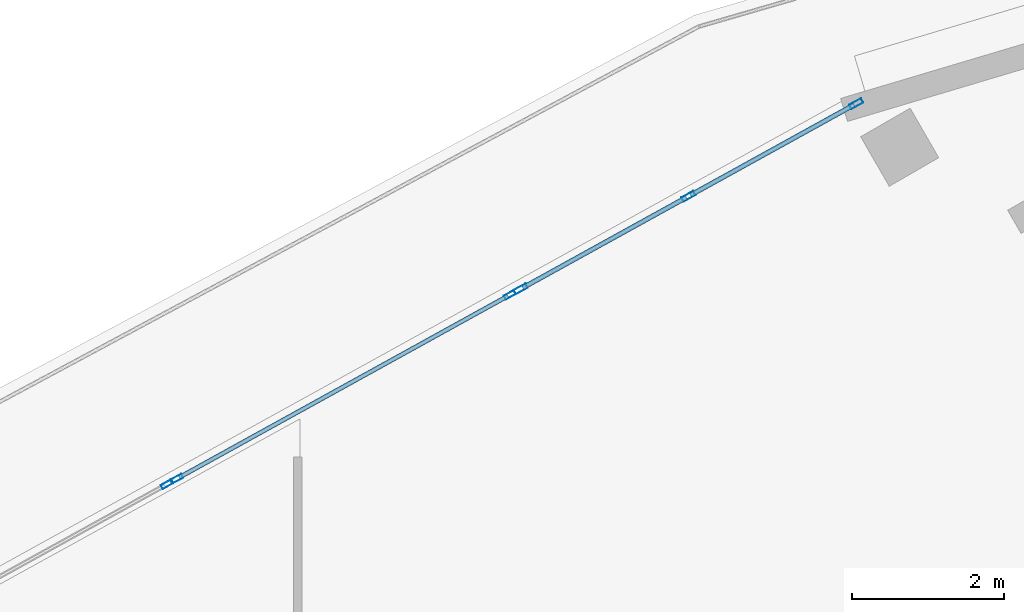
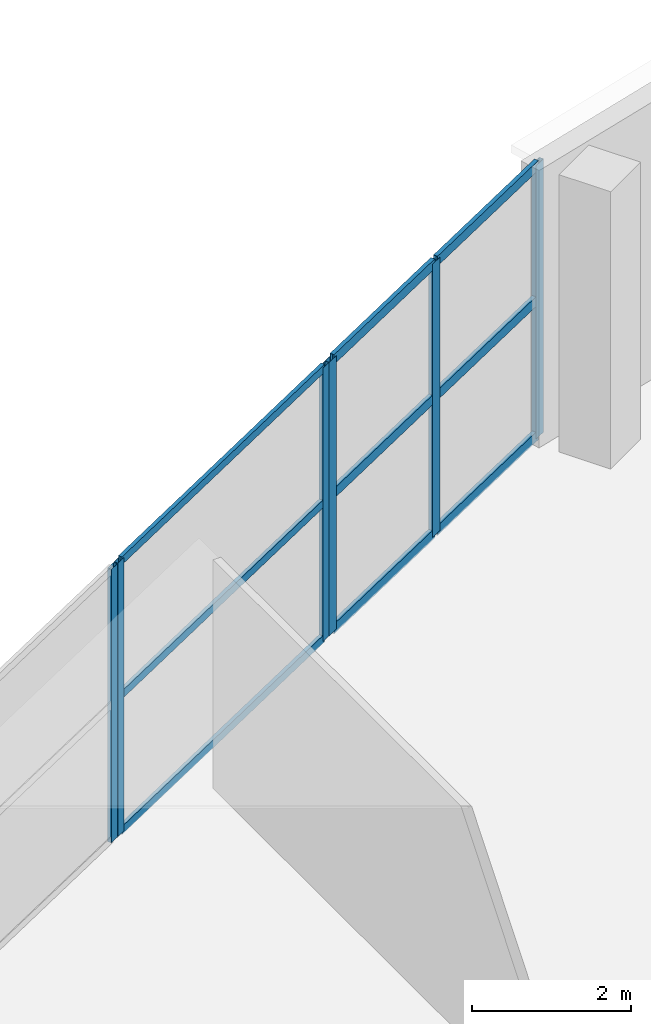
# One storey, part 32 of 107: 15 members, 3 elements without a shape of their own.
"""IFC4 building model written with IfcOpenShell, lengths in metres."""

from ifc_helpers import new_model, si_unit, direction, frame, origin, origin_2d, place, context, subcontext, project, spatial, hollow_rectangle, extrude, material, layer, layer_set, material_profile, profile_set, type_object, element, aggregate, save


model = new_model("IFC4")

# Units and contexts
model_context = context("Model", 3, precision=1e-05, world=origin(), true_north=direction((0.0, 1.0)))
body_context = subcontext(model_context, "Body", "Model", "MODEL_VIEW")
ifc_project = project(units=[si_unit("LENGTHUNIT", "METRE"), si_unit("AREAUNIT", "SQUARE_METRE"), si_unit("VOLUMEUNIT", "CUBIC_METRE"), si_unit("PLANEANGLEUNIT", "RADIAN"), si_unit("MASSUNIT", "GRAM", prefix="KILO")], contexts=[model_context])

# Site, building, storey
site_placement = place(None, origin())
site = spatial("IfcSite", under=ifc_project, at=site_placement, CompositionType="ELEMENT")
building_placement = place(site_placement, origin())
building = spatial("IfcBuilding", under=site, at=building_placement, Name="Kalgoora Escarpment Arena", CompositionType="ELEMENT")
storey_placement = place(building_placement, frame((0.0, 0.0, 5.39990234375)))
storey = spatial("IfcBuildingStorey", under=building, at=storey_placement, Name="L01", CompositionType="ELEMENT", Elevation=5.39990234375)

# Curtain wall, member
ifc_material_1 = material(Name=" Champagne anodised aluminium & double-glazed low-E", Category="aluminium")
ifc_layer_1 = layer(ifc_material_1, 0.166015625)
ifc_layer_set_1 = layer_set([ifc_layer_1], Name="CW-UNIT-19")
curtain_wall_type_1 = type_object("IfcCurtainWallType", Name="CW-UNIT-19", PredefinedType="NOTDEFINED", material=ifc_layer_set_1)
curtain_wall_1_placement = place(storey_placement, origin())
curtain_wall_1 = element("IfcCurtainWall", 1, at=curtain_wall_1_placement, inside=storey, type_object=curtain_wall_type_1, Name="L01 unitised facade curtain wall 018", PredefinedType="NOTDEFINED")
ifc_material_2 = material(Name="Anodised aluminium 6063-T6", Category="aluminium")
ifc_material_profile_1 = material_profile(ifc_material_2, hollow_rectangle(XDim=0.06005859375, YDim=0.14990234375, WallThickness=0.00341796875, at=origin_2d()))
ifc_profile_set_1 = profile_set([ifc_material_profile_1], Name="Anodised aluminium 6063-T6")
member_type_1 = type_object("IfcMemberType", Name="MEM-CW-MULL-150", PredefinedType="MULLION", material=ifc_profile_set_1)
member_1_placement = place(storey_placement, frame((39.87890625, 113.09521484375, 0.02001953125), z_axis=(0.0, 0.0, 1.0), x_axis=(-0.483332479669, 0.875436870424, 0.0)))
member_1 = element("IfcMember", 2, at=member_1_placement, type_object=member_type_1, Name="CW-19 mullion 2", PredefinedType="MULLION", context=body_context, shape_type="SweptSolid", body=[
    extrude(hollow_rectangle(XDim=0.06005859375, YDim=0.14990234375, WallThickness=0.00341796875, at=origin_2d()), origin(), (0.0, 0.0, 1.0), 4.190185546875),
])
aggregate(curtain_wall_1, [member_1])

# Curtain wall, members
ifc_material_3 = material(Name=" Champagne anodised aluminium & double-glazed low-E", Category="aluminium")
ifc_layer_2 = layer(ifc_material_3, 0.14990234375)
ifc_layer_set_2 = layer_set([ifc_layer_2], Name="CW-UNIT-20")
curtain_wall_type_2 = type_object("IfcCurtainWallType", Name="CW-UNIT-20", PredefinedType="NOTDEFINED", material=ifc_layer_set_2)
curtain_wall_2_placement = place(storey_placement, origin())
curtain_wall_2 = element("IfcCurtainWall", 3, at=curtain_wall_2_placement, inside=storey, type_object=curtain_wall_type_2, Name="L01 unitised facade curtain wall 019", PredefinedType="NOTDEFINED")
member_2_placement = place(storey_placement, frame((40.018798828125, 113.172607421875, 0.02001953125), z_axis=(0.0, 0.0, 1.0), x_axis=(-0.483332479669, 0.875436870424, 0.0)))
member_2 = element("IfcMember", 4, at=member_2_placement, type_object=member_type_1, Name="CW-20 mullion 1", PredefinedType="MULLION", context=body_context, shape_type="SweptSolid", body=[
    extrude(hollow_rectangle(XDim=0.06005859375, YDim=0.14990234375, WallThickness=0.00341796875, at=origin_2d()), origin(), (0.0, 0.0, 1.0), 4.190185546875),
])
member_3_placement = place(storey_placement, frame((44.383544921875, 115.58251953125, 0.02001953125), z_axis=(0.0, 0.0, 1.0), x_axis=(-0.483332479669, 0.875436870424, 0.0)))
member_3 = element("IfcMember", 5, at=member_3_placement, type_object=member_type_1, Name="CW-20 mullion 2", PredefinedType="MULLION", context=body_context, shape_type="SweptSolid", body=[
    extrude(hollow_rectangle(XDim=0.06005859375, YDim=0.14990234375, WallThickness=0.00341796875, at=origin_2d()), origin(), (0.0, 0.0, 1.0), 4.190185546875),
])

ifc_material_4 = material(Name=" Champagne anodised aluminium & double-glazed low-E", Category="aluminium")
ifc_layer_3 = layer(ifc_material_4, 0.154052734375)
ifc_layer_set_3 = layer_set([ifc_layer_3], Name="CW-UNIT-01")
curtain_wall_type_3 = type_object("IfcCurtainWallType", Name="CW-UNIT-01", PredefinedType="NOTDEFINED", material=ifc_layer_set_3)
curtain_wall_3_placement = place(storey_placement, origin())
curtain_wall_3 = element("IfcCurtainWall", 6, at=curtain_wall_3_placement, inside=storey, type_object=curtain_wall_type_3, Name="L01 unitised facade curtain wall 020", PredefinedType="NOTDEFINED")
ifc_material_5 = material(Name="Anodised aluminium 6063-T6", Category="aluminium")
ifc_material_profile_2 = material_profile(ifc_material_5, hollow_rectangle(XDim=0.06494140625, YDim=0.179931640625, WallThickness=0.00390625, at=origin_2d()))
ifc_profile_set_2 = profile_set([ifc_material_profile_2], Name="Anodised aluminium 6063-T6")
member_type_2 = type_object("IfcMemberType", Name="MEM-CW-MULL-180", PredefinedType="MULLION", material=ifc_profile_set_2)
member_4_placement = place(storey_placement, frame((44.525634765625, 115.660888671875, 0.02001953125), z_axis=(0.0, 0.0, 1.0), x_axis=(-0.483343465293, 0.875430805123, 0.0)))
member_4 = element("IfcMember", 7, at=member_4_placement, type_object=member_type_2, Name="CW-01 mullion 1", PredefinedType="MULLION", context=body_context, shape_type="SweptSolid", body=[
    extrude(hollow_rectangle(XDim=0.06494140625, YDim=0.179931640625, WallThickness=0.00390625, at=origin_2d()), origin(), (0.0, 0.0, 1.0), 4.190185546875),
])
member_5_placement = place(storey_placement, frame((46.7275390625, 116.876708984375, 0.02001953125), z_axis=(0.0, 0.0, 1.0), x_axis=(-0.483343465293, 0.875430805123, 0.0)))
member_5 = element("IfcMember", 8, at=member_5_placement, type_object=member_type_2, Name="CW-01 mullion 2", PredefinedType="MULLION", context=body_context, shape_type="SweptSolid", body=[
    extrude(hollow_rectangle(XDim=0.06494140625, YDim=0.179931640625, WallThickness=0.00390625, at=origin_2d()), origin(), (0.0, 0.0, 1.0), 4.190185546875),
])
member_6_placement = place(storey_placement, frame((48.929443359375, 118.09228515625, 0.02001953125), z_axis=(0.0, 0.0, 1.0), x_axis=(-0.483343465293, 0.875430805123, 0.0)))
member_6 = element("IfcMember", 9, at=member_6_placement, type_object=member_type_2, Name="CW-01 mullion 3", PredefinedType="MULLION", context=body_context, shape_type="SweptSolid", body=[
    extrude(hollow_rectangle(XDim=0.06494140625, YDim=0.179931640625, WallThickness=0.00390625, at=origin_2d()), origin(), (0.0, 0.0, 1.0), 4.190185546875),
])

# Member
ifc_material_6 = material(Name="Anodised aluminium 6063-T6", Category="aluminium")
ifc_material_profile_3 = material_profile(ifc_material_6, hollow_rectangle(XDim=0.054931640625, YDim=0.1201171875, WallThickness=0.003173828125, at=origin_2d()))
ifc_profile_set_3 = profile_set([ifc_material_profile_3], Name="Anodised aluminium 6063-T6")
member_type_3 = type_object("IfcMemberType", Name="MEM-CW-TRAN-120", PredefinedType="USERDEFINED", material=ifc_profile_set_3)
member_7_placement = place(storey_placement, frame((40.045166015625, 113.187255859375, 0.047607421875), z_axis=(0.875442460326, 0.483322354809, 0.0), x_axis=(-0.483322354809, 0.875442460326, 0.0)))
member_7 = element("IfcMember", 10, at=member_7_placement, type_object=member_type_3, Name="CW-20 transom 1.1", ObjectType="TRANSOM", PredefinedType="USERDEFINED", context=body_context, shape_type="SweptSolid", body=[
    extrude(hollow_rectangle(XDim=0.054931640625, YDim=0.1201171875, WallThickness=0.003173828125, at=origin_2d()), origin(), (0.0, 0.0, 1.0), 4.925537109375),
])

member_8_placement = place(storey_placement, frame((40.045166015625, 113.187255859375, 2.125), z_axis=(0.875442460326, 0.483322354809, 0.0), x_axis=(-0.483322354809, 0.875442460326, 0.0)))
member_8 = element("IfcMember", 11, at=member_8_placement, type_object=member_type_3, Name="CW-20 transom 1.2", ObjectType="TRANSOM", PredefinedType="USERDEFINED", context=body_context, shape_type="SweptSolid", body=[
    extrude(hollow_rectangle(XDim=0.054931640625, YDim=0.1201171875, WallThickness=0.003173828125, at=origin_2d()), origin(), (0.0, 0.0, 1.0), 4.925537109375),
])

member_9_placement = place(storey_placement, frame((40.045166015625, 113.187255859375, 4.1826171875), z_axis=(0.875442460326, 0.483322354809, 0.0), x_axis=(-0.483322354809, 0.875442460326, 0.0)))
member_9 = element("IfcMember", 12, at=member_9_placement, type_object=member_type_3, Name="CW-20 transom 1.3", ObjectType="TRANSOM", PredefinedType="USERDEFINED", context=body_context, shape_type="SweptSolid", body=[
    extrude(hollow_rectangle(XDim=0.054931640625, YDim=0.1201171875, WallThickness=0.003173828125, at=origin_2d()), origin(), (0.0, 0.0, 1.0), 4.925537109375),
])

aggregate(curtain_wall_2, [member_2, member_3, member_7, member_8, member_9])

ifc_material_7 = material(Name="Anodised aluminium 6063-T6", Category="aluminium")
ifc_material_profile_4 = material_profile(ifc_material_7, hollow_rectangle(XDim=0.06005859375, YDim=0.14990234375, WallThickness=0.00341796875, at=origin_2d()))
ifc_profile_set_4 = profile_set([ifc_material_profile_4], Name="Anodised aluminium 6063-T6")
member_type_4 = type_object("IfcMemberType", Name="MEM-CW-TRAN-150", PredefinedType="USERDEFINED", material=ifc_profile_set_4)
member_10_placement = place(storey_placement, frame((44.55419921875, 115.676513671875, 0.050048828125), z_axis=(0.875427956473, 0.483348624727, 0.0), x_axis=(-0.483348624727, 0.875427956473, 0.0)))
member_10 = element("IfcMember", 13, at=member_10_placement, type_object=member_type_4, Name="CW-01 transom 1.1", ObjectType="TRANSOM", PredefinedType="USERDEFINED", context=body_context, shape_type="SweptSolid", body=[
    extrude(hollow_rectangle(XDim=0.06005859375, YDim=0.14990234375, WallThickness=0.00341796875, at=origin_2d()), origin(), (0.0, 0.0, 1.0), 2.4501953125),
])

member_11_placement = place(storey_placement, frame((44.55419921875, 115.676513671875, 2.125), z_axis=(0.875427956473, 0.483348624727, 0.0), x_axis=(-0.483348624727, 0.875427956473, 0.0)))
member_11 = element("IfcMember", 14, at=member_11_placement, type_object=member_type_4, Name="CW-01 transom 1.2", ObjectType="TRANSOM", PredefinedType="USERDEFINED", context=body_context, shape_type="SweptSolid", body=[
    extrude(hollow_rectangle(XDim=0.06005859375, YDim=0.14990234375, WallThickness=0.00341796875, at=origin_2d()), origin(), (0.0, 0.0, 1.0), 2.4501953125),
])

member_12_placement = place(storey_placement, frame((44.55419921875, 115.676513671875, 4.18017578125), z_axis=(0.875427956473, 0.483348624727, 0.0), x_axis=(-0.483348624727, 0.875427956473, 0.0)))
member_12 = element("IfcMember", 15, at=member_12_placement, type_object=member_type_4, Name="CW-01 transom 1.3", ObjectType="TRANSOM", PredefinedType="USERDEFINED", context=body_context, shape_type="SweptSolid", body=[
    extrude(hollow_rectangle(XDim=0.06005859375, YDim=0.14990234375, WallThickness=0.00341796875, at=origin_2d()), origin(), (0.0, 0.0, 1.0), 2.4501953125),
])

member_13_placement = place(storey_placement, frame((46.756103515625, 116.892333984375, 0.050048828125), z_axis=(0.875427956473, 0.483348624727, 0.0), x_axis=(-0.483348624727, 0.875427956473, 0.0)))
member_13 = element("IfcMember", 16, at=member_13_placement, type_object=member_type_4, Name="CW-01 transom 2.1", ObjectType="TRANSOM", PredefinedType="USERDEFINED", context=body_context, shape_type="SweptSolid", body=[
    extrude(hollow_rectangle(XDim=0.06005859375, YDim=0.14990234375, WallThickness=0.00341796875, at=origin_2d()), origin(), (0.0, 0.0, 1.0), 2.4501953125),
])

member_14_placement = place(storey_placement, frame((46.756103515625, 116.892333984375, 2.125), z_axis=(0.875427956473, 0.483348624727, 0.0), x_axis=(-0.483348624727, 0.875427956473, 0.0)))
member_14 = element("IfcMember", 17, at=member_14_placement, type_object=member_type_4, Name="CW-01 transom 2.2", ObjectType="TRANSOM", PredefinedType="USERDEFINED", context=body_context, shape_type="SweptSolid", body=[
    extrude(hollow_rectangle(XDim=0.06005859375, YDim=0.14990234375, WallThickness=0.00341796875, at=origin_2d()), origin(), (0.0, 0.0, 1.0), 2.4501953125),
])

member_15_placement = place(storey_placement, frame((46.756103515625, 116.892333984375, 4.18017578125), z_axis=(0.875427956473, 0.483348624727, 0.0), x_axis=(-0.483348624727, 0.875427956473, 0.0)))
member_15 = element("IfcMember", 18, at=member_15_placement, type_object=member_type_4, Name="CW-01 transom 2.3", ObjectType="TRANSOM", PredefinedType="USERDEFINED", context=body_context, shape_type="SweptSolid", body=[
    extrude(hollow_rectangle(XDim=0.06005859375, YDim=0.14990234375, WallThickness=0.00341796875, at=origin_2d()), origin(), (0.0, 0.0, 1.0), 2.4501953125),
])

aggregate(curtain_wall_3, [member_4, member_5, member_6, member_10, member_11, member_12, member_13, member_14, member_15])

save(model, "model.ifc")
